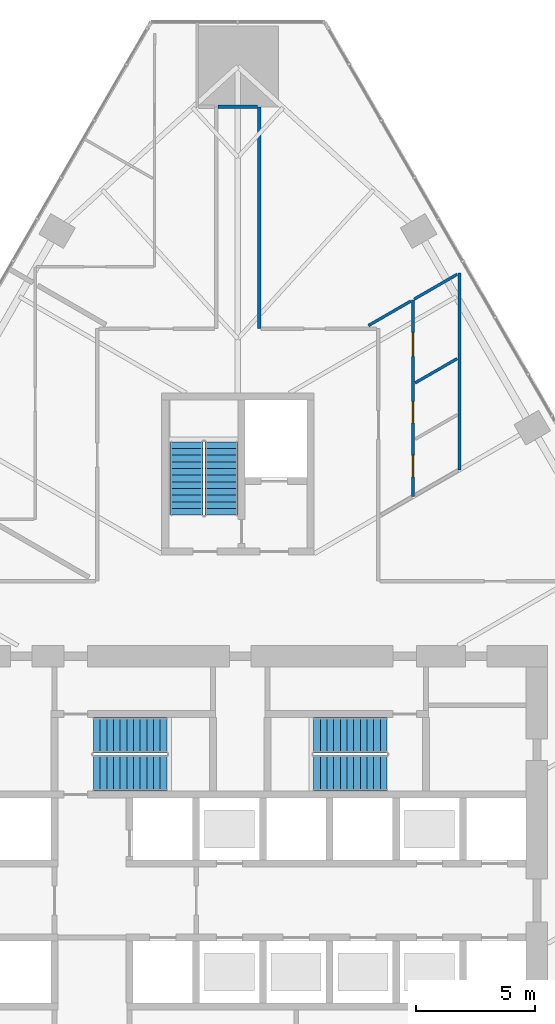
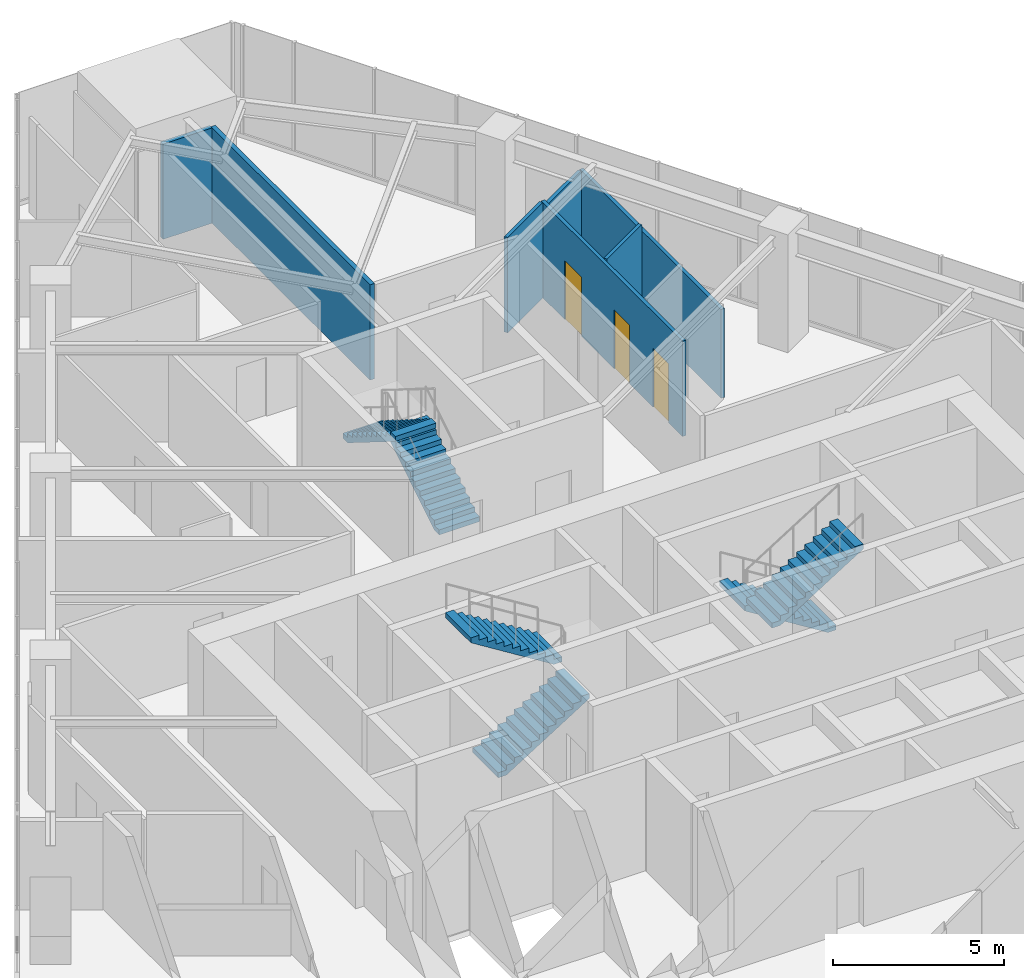
# One storey, part 23 of 25: 7 walls, 6 stair flights, 3 doors, 3 openings, 3 elements without a shape of their own.
"""IFC4 building model written with IfcOpenShell, lengths in metres."""

from ifc_helpers import new_model, si_unit, direction, frame, frame_2d, origin, place, context, subcontext, project, spatial, polyline, rectangle, outline, extrude, material, layer, layer_set, type_object, element, fill, aggregate, save


model = new_model("IFC4")

# Units and contexts
model_context = context("Model", 3, precision=1e-05, world=origin(), true_north=direction((0.0, 1.0)))
body_context = subcontext(model_context, "Body", "Model", "MODEL_VIEW")
ifc_project = project(units=[si_unit("LENGTHUNIT", "METRE"), si_unit("AREAUNIT", "SQUARE_METRE"), si_unit("VOLUMEUNIT", "CUBIC_METRE"), si_unit("PLANEANGLEUNIT", "RADIAN"), si_unit("MASSUNIT", "GRAM", prefix="KILO")], contexts=[model_context])

# Site, building, storey
site_placement = place(None, origin())
site = spatial("IfcSite", under=ifc_project, at=site_placement, CompositionType="ELEMENT")
building_placement = place(site_placement, origin())
building = spatial("IfcBuilding", under=site, at=building_placement, Name="Firuza Gate Tower and Library", CompositionType="ELEMENT")
storey_placement = place(building_placement, frame((0.0, 0.0, 61.0)))
storey = spatial("IfcBuildingStorey", under=building, at=storey_placement, Name="L13", CompositionType="ELEMENT", Elevation=61.0)

# Walls
ifc_material_1 = material(Name="Gypsum board partition")
ifc_layer_1 = layer(ifc_material_1, 0.14990234375)
ifc_layer_set_1 = layer_set([ifc_layer_1], Name="Corridor wall 150 double board on steel studs")
wall_type_1 = type_object("IfcWallType", Name="Corridor wall 150 double board on steel studs", PredefinedType="PARTITIONING", material=ifc_layer_set_1)
wall_1_placement = place(storey_placement, frame((75.89990234375, 97.300048828125, 0.0), z_axis=(0.0, 0.0, 1.0), x_axis=(0.0, 1.0, 0.0)))
element("IfcWall", 1, at=wall_1_placement, inside=storey, type_object=wall_type_1, Name="f:L13:w036", PredefinedType="PARTITIONING", context=body_context, shape_type="SweptSolid", body=[
    extrude(rectangle(XDim=9.30615234375, YDim=0.14990234375, at=frame_2d((4.653076171875, 0.0))), origin(), (0.0, 0.0, 1.0), 3.39990234375),
])
wall_2_placement = place(storey_placement, frame((74.175048828125, 106.60693359375, 0.0), z_axis=(0.0, 0.0, 1.0), x_axis=(1.0, 0.0, 0.0)))
element("IfcWall", 2, at=wall_2_placement, inside=storey, type_object=wall_type_1, Name="f:L13:w068", PredefinedType="PARTITIONING", context=body_context, shape_type="SweptSolid", body=[
    extrude(rectangle(XDim=1.6494140625, YDim=0.14990234375, at=frame_2d((0.82470703125, 0.0))), origin(), (0.0, 0.0, 1.0), 3.39697265625),
])
ifc_material_2 = material(Name="Gypsum board partition")
ifc_layer_2 = layer(ifc_material_2, 0.1201171875)
ifc_layer_set_2 = layer_set([ifc_layer_2], Name="Wet-area partition 120 moisture-resistant board")
wall_type_2 = type_object("IfcWallType", Name="Wet-area partition 120 moisture-resistant board", PredefinedType="PARTITIONING", material=ifc_layer_set_2)
wall_3_placement = place(storey_placement, frame((82.4443359375, 95.0263671875, 0.0), z_axis=(0.0, 0.0, 1.0), x_axis=(0.866017611601, 0.500013496215, 0.0)))
element("IfcWall", 3, at=wall_3_placement, inside=storey, type_object=wall_type_2, Name="f:L13:w024", PredefinedType="PARTITIONING", context=body_context, shape_type="SweptSolid", body=[
    extrude(rectangle(XDim=2.033203125, YDim=0.1201171875, at=frame_2d((1.0166015625, 0.0))), origin(), (0.0, 0.0, 1.0), 3.39990234375),
])
wall_4_placement = place(storey_placement, frame((80.4794921875, 97.429931640625, 0.0), z_axis=(0.0, 0.0, 1.0), x_axis=(0.866057052383, 0.499945179012, 0.0)))
element("IfcWall", 4, at=wall_4_placement, inside=storey, type_object=wall_type_2, Name="f:L13:w025", PredefinedType="PARTITIONING", context=body_context, shape_type="SweptSolid", body=[
    extrude(rectangle(XDim=2.055908203125, YDim=0.1201171875, at=frame_2d((1.02783203125, 0.0))), origin(), (0.0, 0.0, 1.0), 3.39990234375),
])
wall_5_placement = place(storey_placement, frame((84.300048828125, 91.37890625, 0.0), z_axis=(0.0, 0.0, 1.0), x_axis=(0.0, 1.0, 0.0)))
element("IfcWall", 5, at=wall_5_placement, inside=storey, type_object=wall_type_2, Name="f:L13:w031", PredefinedType="PARTITIONING", context=body_context, shape_type="SweptSolid", body=[
    extrude(rectangle(XDim=8.255126953125, YDim=0.1201171875, at=frame_2d((4.12744140625, 0.0))), origin(), (0.0, 0.0, 1.0), 3.1650390625),
])

# Wall, openings, doors
wall_6_placement = place(storey_placement, frame((82.35009765625, 90.2529296875, 0.0), z_axis=(0.0, 0.0, 1.0), x_axis=(0.0, 1.0, 0.0)))
wall_6 = element("IfcWall", 6, at=wall_6_placement, inside=storey, type_object=wall_type_2, Name="f:L13:w032", PredefinedType="PARTITIONING", context=body_context, shape_type="SweptSolid", body=[
    extrude(rectangle(XDim=8.257080078125, YDim=0.1201171875, at=frame_2d((4.12841796875, 0.0))), origin(), (0.0, 0.0, 1.0), 3.39990234375),
])
opening_1_placement = place(wall_6_placement, frame((0.831298828125, 0.0, 0.0)))
opening_1 = element("IfcOpeningElement", 7, at=opening_1_placement, cuts=wall_6, Name="Opening L13-22", PredefinedType="OPENING", context=body_context, shape_type="SweptSolid", body=[
    extrude(rectangle(XDim=0.89990234375, YDim=2.10009765625, at=frame_2d((0.449951171875, 1.050048828125))), frame((0.0, 0.070068359375, 0.0), z_axis=(0.0, -1.0, 0.0), x_axis=(1.0, 0.0, 0.0)), (0.0, 0.0, 1.0), 0.14013671875),
])
opening_2_placement = place(wall_6_placement, frame((3.0888671875, 0.0, 0.0)))
opening_2 = element("IfcOpeningElement", 8, at=opening_2_placement, cuts=wall_6, Name="Opening L13-23", PredefinedType="OPENING", context=body_context, shape_type="SweptSolid", body=[
    extrude(rectangle(XDim=0.89990234375, YDim=2.10009765625, at=frame_2d((0.449951171875, 1.050048828125))), frame((0.0, 0.070068359375, 0.0), z_axis=(0.0, -1.0, 0.0), x_axis=(1.0, 0.0, 0.0)), (0.0, 0.0, 1.0), 0.14013671875),
])
opening_3_placement = place(wall_6_placement, frame((5.88623046875, 0.0, 0.0)))
opening_3 = element("IfcOpeningElement", 9, at=opening_3_placement, cuts=wall_6, Name="Opening L13-24", PredefinedType="OPENING", context=body_context, shape_type="SweptSolid", body=[
    extrude(rectangle(XDim=1.0, YDim=2.10009765625, at=frame_2d((0.5, 1.050048828125))), frame((0.0, 0.070068359375, 0.0), z_axis=(0.0, -1.0, 0.0), x_axis=(1.0, 0.0, 0.0)), (0.0, 0.0, 1.0), 0.14013671875),
])
ifc_material_3 = material(Name="Timber door", Category="wood")
door_type_1 = type_object("IfcDoorType", Name="Door 1000 x 2100 timber leaf", OperationType="NOTDEFINED", PredefinedType="DOOR", material=ifc_material_3)
door_1_placement = place(opening_3_placement, origin())
door_1 = element("IfcDoor", 10, at=door_1_placement, inside=storey, type_object=door_type_1, Name="f:L13:d024", OperationType="SINGLE_SWING_RIGHT", OverallHeight=2.10009765625, OverallWidth=1.0, PredefinedType="DOOR", context=body_context, shape_type="SweptSolid", body=[
    extrude(rectangle(XDim=1.0, YDim=2.10009765625, at=frame_2d((0.5, 1.050048828125))), frame((0.0, 0.02490234375, 0.0), z_axis=(0.0, -1.0, 0.0), x_axis=(1.0, 0.0, 0.0)), (0.0, 0.0, 1.0), 0.050048828125),
])
fill(opening_3, door_1)
ifc_material_4 = material(Name="Timber door", Category="wood")
door_type_2 = type_object("IfcDoorType", Name="Door 900 x 2100 timber leaf", OperationType="NOTDEFINED", PredefinedType="DOOR", material=ifc_material_4)
door_2_placement = place(opening_1_placement, origin())
door_2 = element("IfcDoor", 11, at=door_2_placement, inside=storey, type_object=door_type_2, Name="f:L13:d022", OperationType="SINGLE_SWING_RIGHT", OverallHeight=2.10009765625, OverallWidth=0.89990234375, PredefinedType="DOOR", context=body_context, shape_type="SweptSolid", body=[
    extrude(rectangle(XDim=0.89990234375, YDim=2.10009765625, at=frame_2d((0.449951171875, 1.050048828125))), frame((0.0, 0.02490234375, 0.0), z_axis=(0.0, -1.0, 0.0), x_axis=(1.0, 0.0, 0.0)), (0.0, 0.0, 1.0), 0.050048828125),
])
fill(opening_1, door_2)
door_3_placement = place(opening_2_placement, origin())
door_3 = element("IfcDoor", 12, at=door_3_placement, inside=storey, type_object=door_type_2, Name="f:L13:d023", OperationType="SINGLE_SWING_LEFT", OverallHeight=2.10009765625, OverallWidth=0.89990234375, PredefinedType="DOOR", context=body_context, shape_type="SweptSolid", body=[
    extrude(rectangle(XDim=0.89990234375, YDim=2.10009765625, at=frame_2d((0.449951171875, 1.050048828125))), frame((0.0, 0.02490234375, 0.0), z_axis=(0.0, -1.0, 0.0), x_axis=(1.0, 0.0, 0.0)), (0.0, 0.0, 1.0), 0.050048828125),
])
fill(opening_2, door_3)

# Wall
wall_7_placement = place(storey_placement, frame((82.39501953125, 98.535888671875, 0.0), z_axis=(0.0, 0.0, 1.0), x_axis=(0.866041603473, 0.499971940267, 0.0)))
element("IfcWall", 13, at=wall_7_placement, inside=storey, type_object=wall_type_2, Name="f:L13:w074", PredefinedType="PARTITIONING", context=body_context, shape_type="SweptSolid", body=[
    extrude(rectangle(XDim=2.08935546875, YDim=0.1201171875, at=frame_2d((1.044677734375, 0.0))), origin(), (0.0, 0.0, 1.0), 3.1650390625),
])

# Stair, stair flights
ifc_material_5 = material(Name="Concrete C35/45", Category="concrete")
stair_type_1 = type_object("IfcStairType", Name="Exit stair ST14", PredefinedType="HALF_TURN_STAIR", material=ifc_material_5)
placement = place(storey_placement, origin())
stair_1 = element("IfcStair", 14, at=placement, inside=storey, type_object=stair_type_1, Name="L13 Stair ST3", PredefinedType="HALF_TURN_STAIR")
ifc_material_6 = material(Name="Concrete C35/45", Category="concrete")
stair_flight_type_1 = type_object("IfcStairFlightType", Name="Stair flight 12 risers 175 width 1370", PredefinedType="STRAIGHT", material=ifc_material_6)
stair_flight_1_placement = place(storey_placement, frame((74.31494140625, 89.469970703125, 0.0), z_axis=(0.0, 0.0, 1.0), x_axis=(0.0, 1.0, 0.0)))
stair_flight_1 = element("IfcStairFlight", 15, at=stair_flight_1_placement, type_object=stair_flight_type_1, Name="ST3 flight 1", NumberOfRisers=12, NumberOfTreads=11, PredefinedType="STRAIGHT", RiserHeight=0.175, TreadLength=0.28, context=body_context, shape_type="SweptSolid", body=[
    extrude(outline(polyline([(0.0, 0.0), (0.0, 0.175048828125), (0.280029296875, 0.175048828125), (0.280029296875, 0.35009765625), (0.56005859375, 0.35009765625), (0.56005859375, 0.52490234375), (0.840087890625, 0.52490234375), (0.840087890625, 0.699951171875), (1.1201171875, 0.699951171875), (1.1201171875, 0.875), (1.39990234375, 0.875), (1.39990234375, 1.050048828125), (1.679931640625, 1.050048828125), (1.679931640625, 1.22509765625), (1.9599609375, 1.22509765625), (1.9599609375, 1.39990234375), (2.239990234375, 1.39990234375), (2.239990234375, 1.574951171875), (2.52001953125, 1.574951171875), (2.52001953125, 1.75), (2.800048828125, 1.75), (2.800048828125, 1.925048828125), (3.080078125, 1.925048828125), (3.080078125, 2.10009765625), (3.080078125, 1.748291015625), (0.28271484375, 0.0), (0.0, 0.0)])), frame((0.0, 0.68505859375, 0.0), z_axis=(0.0, -1.0, 0.0), x_axis=(1.0, 0.0, 0.0)), (0.0, 0.0, 1.0), 1.3701171875),
])
stair_flight_2_placement = place(storey_placement, frame((72.844970703125, 92.550048828125, 2.10009765625), z_axis=(0.0, 0.0, 1.0), x_axis=(0.0, -1.0, 0.0)))
stair_flight_2 = element("IfcStairFlight", 16, at=stair_flight_2_placement, type_object=stair_flight_type_1, Name="ST3 flight 2", NumberOfRisers=12, NumberOfTreads=11, PredefinedType="STRAIGHT", RiserHeight=0.175, TreadLength=0.28, context=body_context, shape_type="SweptSolid", body=[
    extrude(outline(polyline([(0.0, 0.0), (0.0, 0.175048828125), (0.280029296875, 0.175048828125), (0.280029296875, 0.35009765625), (0.56005859375, 0.35009765625), (0.56005859375, 0.52490234375), (0.840087890625, 0.52490234375), (0.840087890625, 0.699951171875), (1.1201171875, 0.699951171875), (1.1201171875, 0.875), (1.39990234375, 0.875), (1.39990234375, 1.050048828125), (1.679931640625, 1.050048828125), (1.679931640625, 1.22509765625), (1.9599609375, 1.22509765625), (1.9599609375, 1.39990234375), (2.239990234375, 1.39990234375), (2.239990234375, 1.574951171875), (2.52001953125, 1.574951171875), (2.52001953125, 1.75), (2.800048828125, 1.75), (2.800048828125, 1.925048828125), (3.080078125, 1.925048828125), (3.080078125, 2.10009765625), (3.080078125, 1.748291015625), (0.28271484375, 0.0), (0.0, 0.0)])), frame((0.0, 0.68505859375, 0.0), z_axis=(0.0, -1.0, 0.0), x_axis=(1.0, 0.0, 0.0)), (0.0, 0.0, 1.0), 1.3701171875),
])
aggregate(stair_1, [stair_flight_1, stair_flight_2])

ifc_material_7 = material(Name="Concrete C35/45", Category="concrete")
stair_type_2 = type_object("IfcStairType", Name="Exit stair ST5", PredefinedType="HALF_TURN_STAIR", material=ifc_material_7)
stair_2 = element("IfcStair", 17, at=placement, inside=storey, type_object=stair_type_2, Name="L13 Stair ST1", PredefinedType="HALF_TURN_STAIR")
ifc_material_8 = material(Name="Concrete C35/45", Category="concrete")
stair_flight_type_2 = type_object("IfcStairFlightType", Name="Stair flight 12 risers 175 width 1490", PredefinedType="STRAIGHT", material=ifc_material_8)
stair_flight_3_placement = place(storey_placement, frame((68.93994140625, 78.64501953125, 0.0), z_axis=(0.0, 0.0, 1.0), x_axis=(1.0, 0.0, 0.0)))
stair_flight_3 = element("IfcStairFlight", 18, at=stair_flight_3_placement, type_object=stair_flight_type_2, Name="ST1 flight 1", NumberOfRisers=12, NumberOfTreads=11, PredefinedType="STRAIGHT", RiserHeight=0.175, TreadLength=0.28, context=body_context, shape_type="SweptSolid", body=[
    extrude(outline(polyline([(0.0, 0.0), (0.0, 0.175048828125), (0.280029296875, 0.175048828125), (0.280029296875, 0.35009765625), (0.56005859375, 0.35009765625), (0.56005859375, 0.52490234375), (0.840087890625, 0.52490234375), (0.840087890625, 0.699951171875), (1.1201171875, 0.699951171875), (1.1201171875, 0.875), (1.39990234375, 0.875), (1.39990234375, 1.050048828125), (1.679931640625, 1.050048828125), (1.679931640625, 1.22509765625), (1.9599609375, 1.22509765625), (1.9599609375, 1.39990234375), (2.239990234375, 1.39990234375), (2.239990234375, 1.574951171875), (2.52001953125, 1.574951171875), (2.52001953125, 1.75), (2.800048828125, 1.75), (2.800048828125, 1.925048828125), (3.080078125, 1.925048828125), (3.080078125, 2.10009765625), (3.080078125, 1.748291015625), (0.28271484375, 0.0), (0.0, 0.0)])), frame((0.0, 0.7451171875, 0.0), z_axis=(0.0, -1.0, 0.0), x_axis=(1.0, 0.0, 0.0)), (0.0, 0.0, 1.0), 1.489990234375),
])
stair_flight_4_placement = place(storey_placement, frame((72.02001953125, 80.235107421875, 2.10009765625), z_axis=(0.0, 0.0, 1.0), x_axis=(-1.0, 0.0, 0.0)))
stair_flight_4 = element("IfcStairFlight", 19, at=stair_flight_4_placement, type_object=stair_flight_type_2, Name="ST1 flight 2", NumberOfRisers=12, NumberOfTreads=11, PredefinedType="STRAIGHT", RiserHeight=0.175, TreadLength=0.28, context=body_context, shape_type="SweptSolid", body=[
    extrude(outline(polyline([(0.0, 0.0), (0.0, 0.175048828125), (0.280029296875, 0.175048828125), (0.280029296875, 0.35009765625), (0.56005859375, 0.35009765625), (0.56005859375, 0.52490234375), (0.840087890625, 0.52490234375), (0.840087890625, 0.699951171875), (1.1201171875, 0.699951171875), (1.1201171875, 0.875), (1.39990234375, 0.875), (1.39990234375, 1.050048828125), (1.679931640625, 1.050048828125), (1.679931640625, 1.22509765625), (1.9599609375, 1.22509765625), (1.9599609375, 1.39990234375), (2.239990234375, 1.39990234375), (2.239990234375, 1.574951171875), (2.52001953125, 1.574951171875), (2.52001953125, 1.75), (2.800048828125, 1.75), (2.800048828125, 1.925048828125), (3.080078125, 1.925048828125), (3.080078125, 2.10009765625), (3.080078125, 1.748291015625), (0.28271484375, 0.0), (0.0, 0.0)])), frame((0.0, 0.7451171875, 0.0), z_axis=(0.0, -1.0, 0.0), x_axis=(1.0, 0.0, 0.0)), (0.0, 0.0, 1.0), 1.489990234375),
])
aggregate(stair_2, [stair_flight_3, stair_flight_4])

stair_3 = element("IfcStair", 20, at=placement, inside=storey, type_object=stair_type_2, Name="L13 Stair ST2", PredefinedType="HALF_TURN_STAIR")
stair_flight_5_placement = place(storey_placement, frame((81.260009765625, 80.235107421875, 0.0), z_axis=(0.0, 0.0, 1.0), x_axis=(-1.0, 0.0, 0.0)))
stair_flight_5 = element("IfcStairFlight", 21, at=stair_flight_5_placement, type_object=stair_flight_type_2, Name="ST2 flight 1", NumberOfRisers=12, NumberOfTreads=11, PredefinedType="STRAIGHT", RiserHeight=0.175, TreadLength=0.28, context=body_context, shape_type="SweptSolid", body=[
    extrude(outline(polyline([(0.0, 0.0), (0.0, 0.175048828125), (0.280029296875, 0.175048828125), (0.280029296875, 0.35009765625), (0.56005859375, 0.35009765625), (0.56005859375, 0.52490234375), (0.840087890625, 0.52490234375), (0.840087890625, 0.699951171875), (1.1201171875, 0.699951171875), (1.1201171875, 0.875), (1.39990234375, 0.875), (1.39990234375, 1.050048828125), (1.679931640625, 1.050048828125), (1.679931640625, 1.22509765625), (1.9599609375, 1.22509765625), (1.9599609375, 1.39990234375), (2.239990234375, 1.39990234375), (2.239990234375, 1.574951171875), (2.52001953125, 1.574951171875), (2.52001953125, 1.75), (2.800048828125, 1.75), (2.800048828125, 1.925048828125), (3.080078125, 1.925048828125), (3.080078125, 2.10009765625), (3.080078125, 1.748291015625), (0.28271484375, 0.0), (0.0, 0.0)])), frame((0.0, 0.7451171875, 0.0), z_axis=(0.0, -1.0, 0.0), x_axis=(1.0, 0.0, 0.0)), (0.0, 0.0, 1.0), 1.489990234375),
])
stair_flight_6_placement = place(storey_placement, frame((78.179931640625, 78.64501953125, 2.10009765625), z_axis=(0.0, 0.0, 1.0), x_axis=(1.0, 0.0, 0.0)))
stair_flight_6 = element("IfcStairFlight", 22, at=stair_flight_6_placement, type_object=stair_flight_type_2, Name="ST2 flight 2", NumberOfRisers=12, NumberOfTreads=11, PredefinedType="STRAIGHT", RiserHeight=0.175, TreadLength=0.28, context=body_context, shape_type="SweptSolid", body=[
    extrude(outline(polyline([(0.0, 0.0), (0.0, 0.175048828125), (0.280029296875, 0.175048828125), (0.280029296875, 0.35009765625), (0.56005859375, 0.35009765625), (0.56005859375, 0.52490234375), (0.840087890625, 0.52490234375), (0.840087890625, 0.699951171875), (1.1201171875, 0.699951171875), (1.1201171875, 0.875), (1.39990234375, 0.875), (1.39990234375, 1.050048828125), (1.679931640625, 1.050048828125), (1.679931640625, 1.22509765625), (1.9599609375, 1.22509765625), (1.9599609375, 1.39990234375), (2.239990234375, 1.39990234375), (2.239990234375, 1.574951171875), (2.52001953125, 1.574951171875), (2.52001953125, 1.75), (2.800048828125, 1.75), (2.800048828125, 1.925048828125), (3.080078125, 1.925048828125), (3.080078125, 2.10009765625), (3.080078125, 1.748291015625), (0.28271484375, 0.0), (0.0, 0.0)])), frame((0.0, 0.7451171875, 0.0), z_axis=(0.0, -1.0, 0.0), x_axis=(1.0, 0.0, 0.0)), (0.0, 0.0, 1.0), 1.489990234375),
])
aggregate(stair_3, [stair_flight_5, stair_flight_6])

save(model, "model.ifc")
